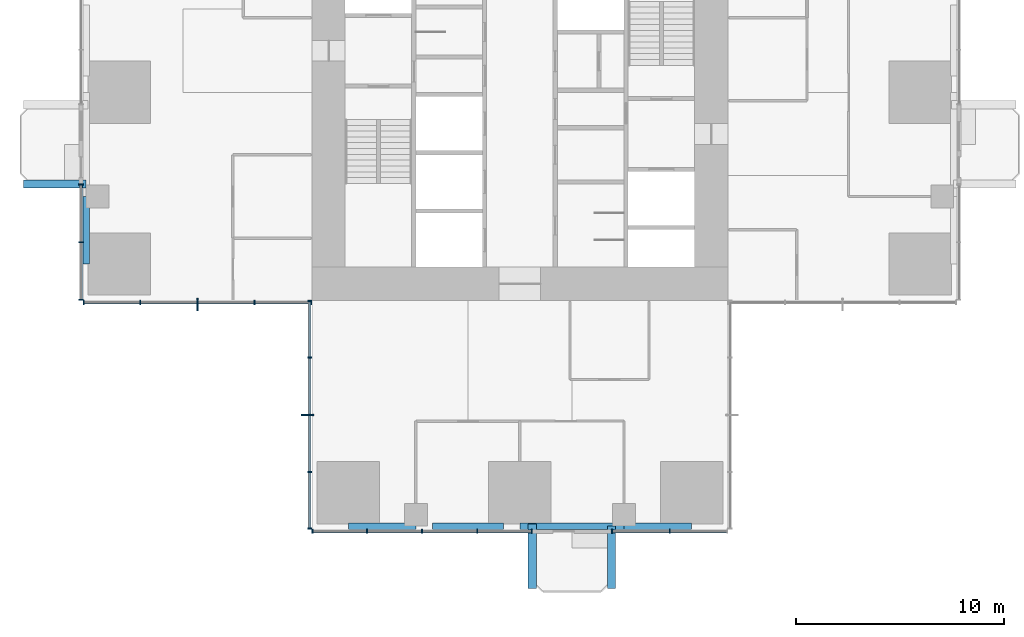
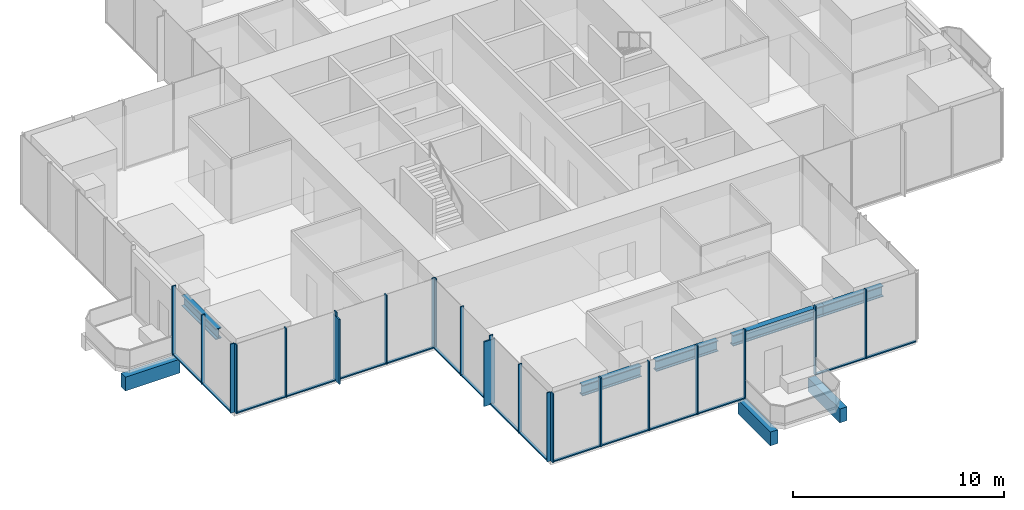
# One storey, part 2 of 13: 38 members, 8 beams, 5 elements without a shape of their own.
"""IFC4 building model written with IfcOpenShell, lengths in metres."""

from ifc_helpers import new_model, si_unit, direction, frame, origin, origin_2d, place, context, subcontext, project, spatial, rectangle, i_section, extrude, material, material_profile, profile_set, type_object, element, aggregate, save


model = new_model("IFC4")

# Units and contexts
model_context = context("Model", 3, precision=1e-05, world=origin(), true_north=direction((0.0, 1.0)))
body_context = subcontext(model_context, "Body", "Model", "MODEL_VIEW")
ifc_project = project(units=[si_unit("LENGTHUNIT", "METRE"), si_unit("AREAUNIT", "SQUARE_METRE"), si_unit("VOLUMEUNIT", "CUBIC_METRE"), si_unit("PLANEANGLEUNIT", "RADIAN"), si_unit("MASSUNIT", "GRAM", prefix="KILO")], contexts=[model_context])

# Site, building, storey
site_placement = place(None, origin())
site = spatial("IfcSite", under=ifc_project, at=site_placement, CompositionType="ELEMENT")
building_placement = place(site_placement, origin())
building = spatial("IfcBuilding", under=site, at=building_placement, Name="Svetlomir Tower", CompositionType="ELEMENT")
storey_placement = place(building_placement, frame((0.0, 0.0, 152.5)))
storey = spatial("IfcBuildingStorey", under=building, at=storey_placement, Name="L36", CompositionType="ELEMENT", Elevation=152.5)

# Beams
ifc_material_1 = material(Name="Concrete C60/75", Category="concrete")
ifc_material_profile_1 = material_profile(ifc_material_1, rectangle(XDim=0.39990234375, YDim=0.800048828125, at=origin_2d()), Name="RC 400x800")
ifc_profile_set_1 = profile_set([ifc_material_profile_1], Name="Concrete C60/75")
beam_type_1 = type_object("IfcBeamType", Name="BALCONY RIB RC 400x800", PredefinedType="BEAM", material=ifc_profile_set_1)
beam_1_placement = place(storey_placement, frame((21.60009765625, 0.25, -0.64990234375), z_axis=(0.0, -1.0, 0.0), x_axis=(1.0, 0.0, 0.0)))
element("IfcBeam", 1, at=beam_1_placement, inside=storey, type_object=beam_type_1, Name="Balcony rib S 1 L36", PredefinedType="BEAM", context=body_context, shape_type="SweptSolid", body=[
    extrude(rectangle(XDim=0.39990234375, YDim=0.800048828125, at=origin_2d()), origin(), (0.0, 0.0, 1.0), 3.10009765625),
])
for number, where, z_axis, x_axis, name in (
    (2, (25.39990234375, 0.14990234375, -0.64990234375), (0.0, -1.0, 0.0), (1.0, 0.0, 0.0), "Balcony rib S 2 L36"),
    (3, (0.14990234375, 16.60009765625, -0.64990234375), (-1.0, 0.0, 0.0), (0.0, -1.0, 0.0), "Balcony rib W 1 L36"),
):
    element("IfcBeam", number, at=place(storey_placement, frame(where, z_axis=z_axis, x_axis=x_axis)), inside=storey, type_object=beam_type_1, Name=name, PredefinedType="BEAM", context=body_context, shape_type="SweptSolid", body=[
        extrude(rectangle(XDim=0.39990234375, YDim=0.800048828125, at=origin_2d()), origin(), (0.0, 0.0, 1.0), 3.0),
    ])

# Curtain wall, member
ifc_material_2 = material(Name="Bronze anodised aluminium curtain wall", Category="aluminium")
curtain_wall_type = type_object("IfcCurtainWallType", Name="CURTAIN WALL CW1 TOWER OFFICE", PredefinedType="NOTDEFINED", material=ifc_material_2)
curtain_wall_1_placement = place(storey_placement, origin())
curtain_wall_1 = element("IfcCurtainWall", 4, at=curtain_wall_1_placement, inside=storey, type_object=curtain_wall_type, Name="Curtain wall CW1 L36", PredefinedType="NOTDEFINED")
ifc_material_3 = material(Name="Bronze anodised aluminium", Category="aluminium")
ifc_material_profile_2 = material_profile(ifc_material_3, rectangle(XDim=0.080078125, YDim=0.60009765625, at=origin_2d()), Name="FIN 80x600")
ifc_profile_set_2 = profile_set([ifc_material_profile_2], Name="Bronze anodised aluminium 6063-T6")
member_type_1 = type_object("IfcMemberType", Name="BRONZE FIN 80x600", PredefinedType="USERDEFINED", material=ifc_profile_set_2)
member_1_placement = place(storey_placement, frame((5.5, 10.800048828125, 0.0), z_axis=(0.0, 0.0, 1.0), x_axis=(1.0, 0.0, 0.0)))
member_1 = element("IfcMember", 5, at=member_1_placement, type_object=member_type_1, Name="Bronze fin L36", ObjectType="FIN", PredefinedType="USERDEFINED", context=body_context, shape_type="SweptSolid", body=[
    extrude(rectangle(XDim=0.080078125, YDim=0.60009765625, at=origin_2d()), origin(), (0.0, 0.0, 1.0), 3.75),
])

curtain_wall_2_placement = place(storey_placement, origin())
curtain_wall_2 = element("IfcCurtainWall", 6, at=curtain_wall_2_placement, inside=storey, type_object=curtain_wall_type, Name="Curtain wall CW1 L36", PredefinedType="NOTDEFINED")
member_2_placement = place(storey_placement, frame((10.800048828125, 5.5, 0.0), z_axis=(0.0, 0.0, 1.0), x_axis=(0.0, 1.0, 0.0)))
member_2 = element("IfcMember", 7, at=member_2_placement, type_object=member_type_1, Name="Bronze fin L36", ObjectType="FIN", PredefinedType="USERDEFINED", context=body_context, shape_type="SweptSolid", body=[
    extrude(rectangle(XDim=0.080078125, YDim=0.60009765625, at=origin_2d()), origin(), (0.0, 0.0, 1.0), 3.75),
])

# Curtain wall, members
curtain_wall_3_placement = place(storey_placement, origin())
curtain_wall_3 = element("IfcCurtainWall", 8, at=curtain_wall_3_placement, inside=storey, type_object=curtain_wall_type, Name="Curtain wall CW1 L36", PredefinedType="NOTDEFINED")
ifc_material_4 = material(Name="Bronze anodised aluminium", Category="aluminium")
ifc_material_profile_3 = material_profile(ifc_material_4, rectangle(XDim=0.06494140625, YDim=0.199951171875, at=origin_2d()), Name="AL 65x200")
ifc_profile_set_3 = profile_set([ifc_material_profile_3], Name="Bronze anodised aluminium 6063-T6")
member_type_2 = type_object("IfcMemberType", Name="CW1 MULLION 65x200", PredefinedType="MULLION", material=ifc_profile_set_3)
member_3_placement = place(storey_placement, frame((11.032470703125, -0.10009765625, 0.0), z_axis=(0.0, 0.0, 1.0), x_axis=(1.0, 0.0, 0.0)))
member_3 = element("IfcMember", 9, at=member_3_placement, type_object=member_type_2, Name="CW1 mullion 1", PredefinedType="MULLION", context=body_context, shape_type="SweptSolid", body=[
    extrude(rectangle(XDim=0.06494140625, YDim=0.199951171875, at=origin_2d()), origin(), (0.0, 0.0, 1.0), 4.0),
])
member_4_placement = place(storey_placement, frame((13.64990234375, -0.10009765625, 0.0), z_axis=(0.0, 0.0, 1.0), x_axis=(1.0, 0.0, 0.0)))
member_4 = element("IfcMember", 10, at=member_4_placement, type_object=member_type_2, Name="CW1 mullion 2", PredefinedType="MULLION", context=body_context, shape_type="SweptSolid", body=[
    extrude(rectangle(XDim=0.06494140625, YDim=0.199951171875, at=origin_2d()), origin(), (0.0, 0.0, 1.0), 4.0),
])
member_5_placement = place(storey_placement, frame((16.300048828125, -0.10009765625, 0.0), z_axis=(0.0, 0.0, 1.0), x_axis=(1.0, 0.0, 0.0)))
member_5 = element("IfcMember", 11, at=member_5_placement, type_object=member_type_2, Name="CW1 mullion 3", PredefinedType="MULLION", context=body_context, shape_type="SweptSolid", body=[
    extrude(rectangle(XDim=0.06494140625, YDim=0.199951171875, at=origin_2d()), origin(), (0.0, 0.0, 1.0), 4.0),
])
member_6_placement = place(storey_placement, frame((18.949951171875, -0.10009765625, 0.0), z_axis=(0.0, 0.0, 1.0), x_axis=(1.0, 0.0, 0.0)))
member_6 = element("IfcMember", 12, at=member_6_placement, type_object=member_type_2, Name="CW1 mullion 4", PredefinedType="MULLION", context=body_context, shape_type="SweptSolid", body=[
    extrude(rectangle(XDim=0.06494140625, YDim=0.199951171875, at=origin_2d()), origin(), (0.0, 0.0, 1.0), 4.0),
])
member_7_placement = place(storey_placement, frame((21.5673828125, -0.10009765625, 0.0), z_axis=(0.0, 0.0, 1.0), x_axis=(1.0, 0.0, 0.0)))
member_7 = element("IfcMember", 13, at=member_7_placement, type_object=member_type_2, Name="CW1 mullion 5", PredefinedType="MULLION", context=body_context, shape_type="SweptSolid", body=[
    extrude(rectangle(XDim=0.06494140625, YDim=0.199951171875, at=origin_2d()), origin(), (0.0, 0.0, 1.0), 4.0),
])

curtain_wall_4_placement = place(storey_placement, origin())
curtain_wall_4 = element("IfcCurtainWall", 14, at=curtain_wall_4_placement, inside=storey, type_object=curtain_wall_type, Name="Curtain wall CW1 L36", PredefinedType="NOTDEFINED")
member_8_placement = place(storey_placement, frame((25.4326171875, -0.10009765625, 0.0), z_axis=(0.0, 0.0, 1.0), x_axis=(1.0, 0.0, 0.0)))
member_8 = element("IfcMember", 15, at=member_8_placement, type_object=member_type_2, Name="CW1 mullion 1", PredefinedType="MULLION", context=body_context, shape_type="SweptSolid", body=[
    extrude(rectangle(XDim=0.06494140625, YDim=0.199951171875, at=origin_2d()), origin(), (0.0, 0.0, 1.0), 4.0),
])
member_9_placement = place(storey_placement, frame((28.199951171875, -0.10009765625, 0.0), z_axis=(0.0, 0.0, 1.0), x_axis=(1.0, 0.0, 0.0)))
member_9 = element("IfcMember", 16, at=member_9_placement, type_object=member_type_2, Name="CW1 mullion 2", PredefinedType="MULLION", context=body_context, shape_type="SweptSolid", body=[
    extrude(rectangle(XDim=0.06494140625, YDim=0.199951171875, at=origin_2d()), origin(), (0.0, 0.0, 1.0), 4.0),
])

curtain_wall_5_placement = place(storey_placement, origin())
curtain_wall_5 = element("IfcCurtainWall", 17, at=curtain_wall_5_placement, inside=storey, type_object=curtain_wall_type, Name="Curtain wall CW1 L36", PredefinedType="NOTDEFINED")
member_10_placement = place(storey_placement, frame((-0.10009765625, 16.5673828125, 0.0), z_axis=(0.0, 0.0, 1.0), x_axis=(0.0, -1.0, 0.0)))
member_10 = element("IfcMember", 18, at=member_10_placement, type_object=member_type_2, Name="CW1 mullion 1", PredefinedType="MULLION", context=body_context, shape_type="SweptSolid", body=[
    extrude(rectangle(XDim=0.06494140625, YDim=0.199951171875, at=origin_2d()), origin(), (0.0, 0.0, 1.0), 4.0),
])
member_11_placement = place(storey_placement, frame((-0.10009765625, 13.800048828125, 0.0), z_axis=(0.0, 0.0, 1.0), x_axis=(0.0, -1.0, 0.0)))
member_11 = element("IfcMember", 19, at=member_11_placement, type_object=member_type_2, Name="CW1 mullion 2", PredefinedType="MULLION", context=body_context, shape_type="SweptSolid", body=[
    extrude(rectangle(XDim=0.06494140625, YDim=0.199951171875, at=origin_2d()), origin(), (0.0, 0.0, 1.0), 4.0),
])
member_12_placement = place(storey_placement, frame((-0.10009765625, 11.032470703125, 0.0), z_axis=(0.0, 0.0, 1.0), x_axis=(0.0, -1.0, 0.0)))
member_12 = element("IfcMember", 20, at=member_12_placement, type_object=member_type_2, Name="CW1 mullion 3", PredefinedType="MULLION", context=body_context, shape_type="SweptSolid", body=[
    extrude(rectangle(XDim=0.06494140625, YDim=0.199951171875, at=origin_2d()), origin(), (0.0, 0.0, 1.0), 4.0),
])

# Member
member_13_placement = place(storey_placement, frame((0.032470703125, 10.89990234375, 0.0), z_axis=(0.0, 0.0, 1.0), x_axis=(1.0, 0.0, 0.0)))
member_13 = element("IfcMember", 21, at=member_13_placement, type_object=member_type_2, Name="CW1 mullion 1", PredefinedType="MULLION", context=body_context, shape_type="SweptSolid", body=[
    extrude(rectangle(XDim=0.06494140625, YDim=0.199951171875, at=origin_2d()), origin(), (0.0, 0.0, 1.0), 4.0),
])

member_14_placement = place(storey_placement, frame((2.75, 10.89990234375, 0.0), z_axis=(0.0, 0.0, 1.0), x_axis=(1.0, 0.0, 0.0)))
member_14 = element("IfcMember", 22, at=member_14_placement, type_object=member_type_2, Name="CW1 mullion 2", PredefinedType="MULLION", context=body_context, shape_type="SweptSolid", body=[
    extrude(rectangle(XDim=0.06494140625, YDim=0.199951171875, at=origin_2d()), origin(), (0.0, 0.0, 1.0), 4.0),
])

member_15_placement = place(storey_placement, frame((5.5, 10.89990234375, 0.0), z_axis=(0.0, 0.0, 1.0), x_axis=(1.0, 0.0, 0.0)))
member_15 = element("IfcMember", 23, at=member_15_placement, type_object=member_type_2, Name="CW1 mullion 3", PredefinedType="MULLION", context=body_context, shape_type="SweptSolid", body=[
    extrude(rectangle(XDim=0.06494140625, YDim=0.199951171875, at=origin_2d()), origin(), (0.0, 0.0, 1.0), 4.0),
])

member_16_placement = place(storey_placement, frame((8.25, 10.89990234375, 0.0), z_axis=(0.0, 0.0, 1.0), x_axis=(1.0, 0.0, 0.0)))
member_16 = element("IfcMember", 24, at=member_16_placement, type_object=member_type_2, Name="CW1 mullion 4", PredefinedType="MULLION", context=body_context, shape_type="SweptSolid", body=[
    extrude(rectangle(XDim=0.06494140625, YDim=0.199951171875, at=origin_2d()), origin(), (0.0, 0.0, 1.0), 4.0),
])

member_17_placement = place(storey_placement, frame((10.967529296875, 10.89990234375, 0.0), z_axis=(0.0, 0.0, 1.0), x_axis=(1.0, 0.0, 0.0)))
member_17 = element("IfcMember", 25, at=member_17_placement, type_object=member_type_2, Name="CW1 mullion 5", PredefinedType="MULLION", context=body_context, shape_type="SweptSolid", body=[
    extrude(rectangle(XDim=0.06494140625, YDim=0.199951171875, at=origin_2d()), origin(), (0.0, 0.0, 1.0), 4.0),
])

member_18_placement = place(storey_placement, frame((10.89990234375, 10.967529296875, 0.0), z_axis=(0.0, 0.0, 1.0), x_axis=(0.0, -1.0, 0.0)))
member_18 = element("IfcMember", 26, at=member_18_placement, type_object=member_type_2, Name="CW1 mullion 1", PredefinedType="MULLION", context=body_context, shape_type="SweptSolid", body=[
    extrude(rectangle(XDim=0.06494140625, YDim=0.199951171875, at=origin_2d()), origin(), (0.0, 0.0, 1.0), 4.0),
])

member_19_placement = place(storey_placement, frame((10.89990234375, 8.25, 0.0), z_axis=(0.0, 0.0, 1.0), x_axis=(0.0, -1.0, 0.0)))
member_19 = element("IfcMember", 27, at=member_19_placement, type_object=member_type_2, Name="CW1 mullion 2", PredefinedType="MULLION", context=body_context, shape_type="SweptSolid", body=[
    extrude(rectangle(XDim=0.06494140625, YDim=0.199951171875, at=origin_2d()), origin(), (0.0, 0.0, 1.0), 4.0),
])

member_20_placement = place(storey_placement, frame((10.89990234375, 5.5, 0.0), z_axis=(0.0, 0.0, 1.0), x_axis=(0.0, -1.0, 0.0)))
member_20 = element("IfcMember", 28, at=member_20_placement, type_object=member_type_2, Name="CW1 mullion 3", PredefinedType="MULLION", context=body_context, shape_type="SweptSolid", body=[
    extrude(rectangle(XDim=0.06494140625, YDim=0.199951171875, at=origin_2d()), origin(), (0.0, 0.0, 1.0), 4.0),
])

member_21_placement = place(storey_placement, frame((10.89990234375, 2.75, 0.0), z_axis=(0.0, 0.0, 1.0), x_axis=(0.0, -1.0, 0.0)))
member_21 = element("IfcMember", 29, at=member_21_placement, type_object=member_type_2, Name="CW1 mullion 4", PredefinedType="MULLION", context=body_context, shape_type="SweptSolid", body=[
    extrude(rectangle(XDim=0.06494140625, YDim=0.199951171875, at=origin_2d()), origin(), (0.0, 0.0, 1.0), 4.0),
])

member_22_placement = place(storey_placement, frame((10.89990234375, 0.032470703125, 0.0), z_axis=(0.0, 0.0, 1.0), x_axis=(0.0, -1.0, 0.0)))
member_22 = element("IfcMember", 30, at=member_22_placement, type_object=member_type_2, Name="CW1 mullion 5", PredefinedType="MULLION", context=body_context, shape_type="SweptSolid", body=[
    extrude(rectangle(XDim=0.06494140625, YDim=0.199951171875, at=origin_2d()), origin(), (0.0, 0.0, 1.0), 4.0),
])

ifc_material_5 = material(Name="Bronze anodised aluminium", Category="aluminium")
ifc_material_profile_4 = material_profile(ifc_material_5, rectangle(XDim=0.139892578125, YDim=0.06494140625, at=origin_2d()), Name="AL 140x65")
ifc_profile_set_4 = profile_set([ifc_material_profile_4], Name="Bronze anodised aluminium 6063-T6")
member_type_3 = type_object("IfcMemberType", Name="CW1 TRANSOM 65x140", PredefinedType="USERDEFINED", material=ifc_profile_set_4)
member_23_placement = place(storey_placement, frame((11.06494140625, -0.10009765625, 0.032470703125), z_axis=(1.0, 0.0, 0.0), x_axis=(0.0, 1.0, 0.0)))
member_23 = element("IfcMember", 31, at=member_23_placement, type_object=member_type_3, Name="CW1 transom 1.1", ObjectType="TRANSOM", PredefinedType="USERDEFINED", context=body_context, shape_type="SweptSolid", body=[
    extrude(rectangle(XDim=0.139892578125, YDim=0.06494140625, at=origin_2d()), origin(), (0.0, 0.0, 1.0), 2.552490234375),
])

member_24_placement = place(storey_placement, frame((13.6826171875, -0.10009765625, 0.032470703125), z_axis=(1.0, 0.0, 0.0), x_axis=(0.0, 1.0, 0.0)))
member_24 = element("IfcMember", 32, at=member_24_placement, type_object=member_type_3, Name="CW1 transom 2.1", ObjectType="TRANSOM", PredefinedType="USERDEFINED", context=body_context, shape_type="SweptSolid", body=[
    extrude(rectangle(XDim=0.139892578125, YDim=0.06494140625, at=origin_2d()), origin(), (0.0, 0.0, 1.0), 2.5849609375),
])

member_25_placement = place(storey_placement, frame((16.33251953125, -0.10009765625, 0.032470703125), z_axis=(1.0, 0.0, 0.0), x_axis=(0.0, 1.0, 0.0)))
member_25 = element("IfcMember", 33, at=member_25_placement, type_object=member_type_3, Name="CW1 transom 3.1", ObjectType="TRANSOM", PredefinedType="USERDEFINED", context=body_context, shape_type="SweptSolid", body=[
    extrude(rectangle(XDim=0.139892578125, YDim=0.06494140625, at=origin_2d()), origin(), (0.0, 0.0, 1.0), 2.5849609375),
])

member_26_placement = place(storey_placement, frame((18.982421875, -0.10009765625, 0.032470703125), z_axis=(1.0, 0.0, 0.0), x_axis=(0.0, 1.0, 0.0)))
member_26 = element("IfcMember", 34, at=member_26_placement, type_object=member_type_3, Name="CW1 transom 4.1", ObjectType="TRANSOM", PredefinedType="USERDEFINED", context=body_context, shape_type="SweptSolid", body=[
    extrude(rectangle(XDim=0.139892578125, YDim=0.06494140625, at=origin_2d()), origin(), (0.0, 0.0, 1.0), 2.552490234375),
])

aggregate(curtain_wall_3, [member_3, member_4, member_5, member_6, member_7, member_23, member_24, member_25, member_26])

member_27_placement = place(storey_placement, frame((25.465087890625, -0.10009765625, 0.032470703125), z_axis=(1.0, 0.0, 0.0), x_axis=(0.0, 1.0, 0.0)))
member_27 = element("IfcMember", 35, at=member_27_placement, type_object=member_type_3, Name="CW1 transom 1.1", ObjectType="TRANSOM", PredefinedType="USERDEFINED", context=body_context, shape_type="SweptSolid", body=[
    extrude(rectangle(XDim=0.139892578125, YDim=0.06494140625, at=origin_2d()), origin(), (0.0, 0.0, 1.0), 2.702392578125),
])

member_28_placement = place(storey_placement, frame((28.232421875, -0.10009765625, 0.032470703125), z_axis=(1.0, 0.0, 0.0), x_axis=(0.0, 1.0, 0.0)))
member_28 = element("IfcMember", 36, at=member_28_placement, type_object=member_type_3, Name="CW1 transom 2.1", ObjectType="TRANSOM", PredefinedType="USERDEFINED", context=body_context, shape_type="SweptSolid", body=[
    extrude(rectangle(XDim=0.139892578125, YDim=0.06494140625, at=origin_2d()), origin(), (0.0, 0.0, 1.0), 2.70263671875),
])

aggregate(curtain_wall_4, [member_8, member_9, member_27, member_28])

member_29_placement = place(storey_placement, frame((-0.10009765625, 16.534912109375, 0.032470703125), z_axis=(0.0, -1.0, 0.0), x_axis=(1.0, 0.0, 0.0)))
member_29 = element("IfcMember", 37, at=member_29_placement, type_object=member_type_3, Name="CW1 transom 1.1", ObjectType="TRANSOM", PredefinedType="USERDEFINED", context=body_context, shape_type="SweptSolid", body=[
    extrude(rectangle(XDim=0.139892578125, YDim=0.06494140625, at=origin_2d()), origin(), (0.0, 0.0, 1.0), 2.702392578125),
])

member_30_placement = place(storey_placement, frame((-0.10009765625, 13.767578125, 0.032470703125), z_axis=(0.0, -1.0, 0.0), x_axis=(1.0, 0.0, 0.0)))
member_30 = element("IfcMember", 38, at=member_30_placement, type_object=member_type_3, Name="CW1 transom 2.1", ObjectType="TRANSOM", PredefinedType="USERDEFINED", context=body_context, shape_type="SweptSolid", body=[
    extrude(rectangle(XDim=0.139892578125, YDim=0.06494140625, at=origin_2d()), origin(), (0.0, 0.0, 1.0), 2.70263671875),
])

aggregate(curtain_wall_5, [member_10, member_11, member_12, member_29, member_30])

member_31_placement = place(storey_placement, frame((0.06494140625, 10.89990234375, 0.032470703125), z_axis=(1.0, 0.0, 0.0), x_axis=(0.0, 1.0, 0.0)))
member_31 = element("IfcMember", 39, at=member_31_placement, type_object=member_type_3, Name="CW1 transom 1.1", ObjectType="TRANSOM", PredefinedType="USERDEFINED", context=body_context, shape_type="SweptSolid", body=[
    extrude(rectangle(XDim=0.139892578125, YDim=0.06494140625, at=origin_2d()), origin(), (0.0, 0.0, 1.0), 2.652587890625),
])

member_32_placement = place(storey_placement, frame((2.782470703125, 10.89990234375, 0.032470703125), z_axis=(1.0, 0.0, 0.0), x_axis=(0.0, 1.0, 0.0)))
member_32 = element("IfcMember", 40, at=member_32_placement, type_object=member_type_3, Name="CW1 transom 2.1", ObjectType="TRANSOM", PredefinedType="USERDEFINED", context=body_context, shape_type="SweptSolid", body=[
    extrude(rectangle(XDim=0.139892578125, YDim=0.06494140625, at=origin_2d()), origin(), (0.0, 0.0, 1.0), 2.68505859375),
])

member_33_placement = place(storey_placement, frame((5.532470703125, 10.89990234375, 0.032470703125), z_axis=(1.0, 0.0, 0.0), x_axis=(0.0, 1.0, 0.0)))
member_33 = element("IfcMember", 41, at=member_33_placement, type_object=member_type_3, Name="CW1 transom 3.1", ObjectType="TRANSOM", PredefinedType="USERDEFINED", context=body_context, shape_type="SweptSolid", body=[
    extrude(rectangle(XDim=0.139892578125, YDim=0.06494140625, at=origin_2d()), origin(), (0.0, 0.0, 1.0), 2.68505859375),
])

member_34_placement = place(storey_placement, frame((8.282470703125, 10.89990234375, 0.032470703125), z_axis=(1.0, 0.0, 0.0), x_axis=(0.0, 1.0, 0.0)))
member_34 = element("IfcMember", 42, at=member_34_placement, type_object=member_type_3, Name="CW1 transom 4.1", ObjectType="TRANSOM", PredefinedType="USERDEFINED", context=body_context, shape_type="SweptSolid", body=[
    extrude(rectangle(XDim=0.139892578125, YDim=0.06494140625, at=origin_2d()), origin(), (0.0, 0.0, 1.0), 2.652587890625),
])

aggregate(curtain_wall_1, [member_13, member_14, member_15, member_16, member_17, member_31, member_32, member_33, member_34, member_1])

member_35_placement = place(storey_placement, frame((10.89990234375, 10.93505859375, 0.032470703125), z_axis=(0.0, -1.0, 0.0), x_axis=(1.0, 0.0, 0.0)))
member_35 = element("IfcMember", 43, at=member_35_placement, type_object=member_type_3, Name="CW1 transom 1.1", ObjectType="TRANSOM", PredefinedType="USERDEFINED", context=body_context, shape_type="SweptSolid", body=[
    extrude(rectangle(XDim=0.139892578125, YDim=0.06494140625, at=origin_2d()), origin(), (0.0, 0.0, 1.0), 2.652587890625),
])

member_36_placement = place(storey_placement, frame((10.89990234375, 8.217529296875, 0.032470703125), z_axis=(0.0, -1.0, 0.0), x_axis=(1.0, 0.0, 0.0)))
member_36 = element("IfcMember", 44, at=member_36_placement, type_object=member_type_3, Name="CW1 transom 2.1", ObjectType="TRANSOM", PredefinedType="USERDEFINED", context=body_context, shape_type="SweptSolid", body=[
    extrude(rectangle(XDim=0.139892578125, YDim=0.06494140625, at=origin_2d()), origin(), (0.0, 0.0, 1.0), 2.68505859375),
])

member_37_placement = place(storey_placement, frame((10.89990234375, 5.467529296875, 0.032470703125), z_axis=(0.0, -1.0, 0.0), x_axis=(1.0, 0.0, 0.0)))
member_37 = element("IfcMember", 45, at=member_37_placement, type_object=member_type_3, Name="CW1 transom 3.1", ObjectType="TRANSOM", PredefinedType="USERDEFINED", context=body_context, shape_type="SweptSolid", body=[
    extrude(rectangle(XDim=0.139892578125, YDim=0.06494140625, at=origin_2d()), origin(), (0.0, 0.0, 1.0), 2.68505859375),
])

member_38_placement = place(storey_placement, frame((10.89990234375, 2.717529296875, 0.032470703125), z_axis=(0.0, -1.0, 0.0), x_axis=(1.0, 0.0, 0.0)))
member_38 = element("IfcMember", 46, at=member_38_placement, type_object=member_type_3, Name="CW1 transom 4.1", ObjectType="TRANSOM", PredefinedType="USERDEFINED", context=body_context, shape_type="SweptSolid", body=[
    extrude(rectangle(XDim=0.139892578125, YDim=0.06494140625, at=origin_2d()), origin(), (0.0, 0.0, 1.0), 2.652587890625),
])

aggregate(curtain_wall_2, [member_18, member_19, member_20, member_21, member_22, member_35, member_36, member_37, member_38, member_2])

# Beams
ifc_material_6 = material(Name="Steel S355", Category="steel")
ifc_material_profile_5 = material_profile(ifc_material_6, i_section(OverallWidth=0.304931640625, OverallDepth=0.6201171875, WebThickness=0.02099609375, FlangeThickness=0.0400390625, FilletRadius=0.027099609375, at=origin_2d()), Name="HEM 600")
ifc_profile_set_5 = profile_set([ifc_material_profile_5], Name="Steel S355")
beam_type_2 = type_object("IfcBeamType", Name="EDGE BEAM HEM 600", PredefinedType="SPANDREL", material=ifc_profile_set_5)
for number, where, z_axis, x_axis, name in (
    (47, (12.75, 0.152587890625, 3.43994140625), (1.0, 0.0, 0.0), (0.0, 1.0, 0.0), "Edge beam 11/0 to 16/0 under L37"),
    (48, (0.152587890625, 12.75, 3.43994140625), (0.0, 1.0, 0.0), (-1.0, 0.0, 0.0), "Edge beam 0/11 to 0/16 under L37"),
):
    element("IfcBeam", number, at=place(storey_placement, frame(where, z_axis=z_axis, x_axis=x_axis)), inside=storey, type_object=beam_type_2, Name=name, PredefinedType="SPANDREL", context=body_context, shape_type="SweptSolid", body=[
        extrude(i_section(OverallWidth=0.304931640625, OverallDepth=0.6201171875, WebThickness=0.02099609375, FlangeThickness=0.0400390625, FilletRadius=0.027099609375, at=origin_2d()), origin(), (0.0, 0.0, 1.0), 3.25),
    ])
beam_2_placement = place(storey_placement, frame((16.800048828125, 0.152587890625, 3.43994140625), z_axis=(1.0, 0.0, 0.0), x_axis=(0.0, 1.0, 0.0)))
element("IfcBeam", 49, at=beam_2_placement, inside=storey, type_object=beam_type_2, Name="Edge beam 16/0 to 21/0 under L37", PredefinedType="SPANDREL", context=body_context, shape_type="SweptSolid", body=[
    extrude(i_section(OverallWidth=0.304931640625, OverallDepth=0.6201171875, WebThickness=0.02099609375, FlangeThickness=0.0400390625, FilletRadius=0.027099609375, at=origin_2d()), origin(), (0.0, 0.0, 1.0), 3.39990234375),
])
beam_3_placement = place(storey_placement, frame((21.0, 0.152587890625, 3.43994140625), z_axis=(1.0, 0.0, 0.0), x_axis=(0.0, 1.0, 0.0)))
element("IfcBeam", 50, at=beam_3_placement, inside=storey, type_object=beam_type_2, Name="Edge beam 21/0 to 26/0 under L37", PredefinedType="SPANDREL", context=body_context, shape_type="SweptSolid", body=[
    extrude(i_section(OverallWidth=0.304931640625, OverallDepth=0.6201171875, WebThickness=0.02099609375, FlangeThickness=0.0400390625, FilletRadius=0.027099609375, at=origin_2d()), origin(), (0.0, 0.0, 1.0), 5.0),
])
beam_4_placement = place(storey_placement, frame((26.0, 0.152587890625, 3.43994140625), z_axis=(1.0, 0.0, 0.0), x_axis=(0.0, 1.0, 0.0)))
element("IfcBeam", 51, at=beam_4_placement, inside=storey, type_object=beam_type_2, Name="Edge beam 26/0 to 31/0 under L37", PredefinedType="SPANDREL", context=body_context, shape_type="SweptSolid", body=[
    extrude(i_section(OverallWidth=0.304931640625, OverallDepth=0.6201171875, WebThickness=0.02099609375, FlangeThickness=0.0400390625, FilletRadius=0.027099609375, at=origin_2d()), origin(), (0.0, 0.0, 1.0), 3.25),
])

save(model, "model.ifc")
